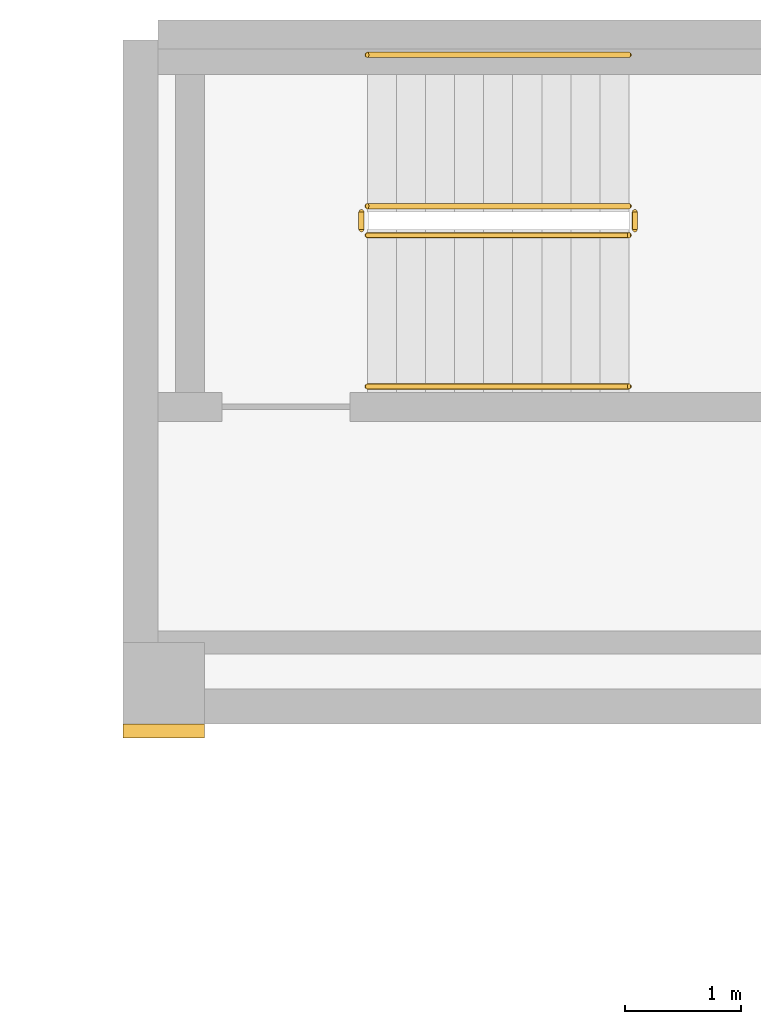
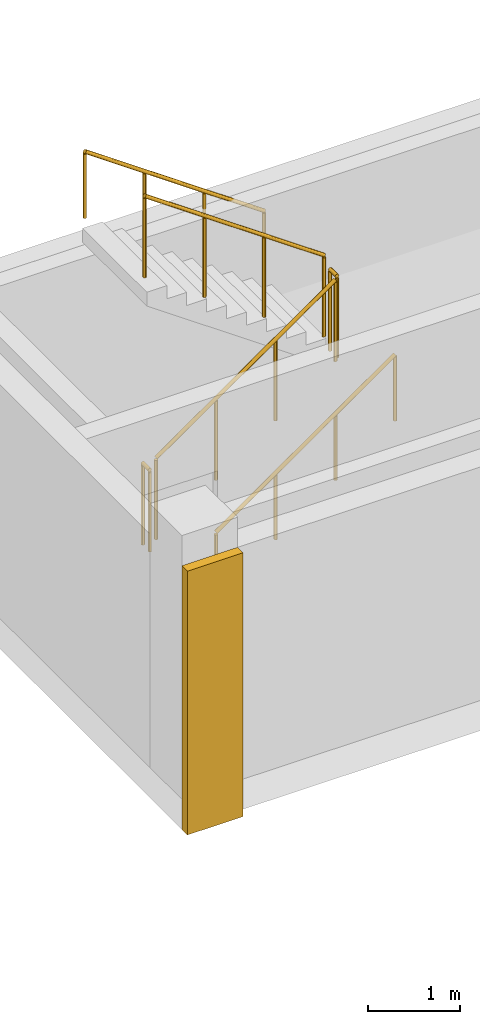
# One storey, part 9 of 9: 6 railings, 1 covering.
"""IFC4 building model written with IfcOpenShell, lengths in metres."""

from ifc_helpers import new_model, si_unit, direction, frame, origin, origin_2d, place, context, subcontext, project, spatial, rectangle, circle, extrude, source, transform, mapped, material, type_object, element, save


model = new_model("IFC4")

# Units and contexts
model_context = context("Model", 3, precision=1e-05, world=origin(), true_north=direction((0.0, 1.0)))
body_context = subcontext(model_context, "Body", "Model", "MODEL_VIEW")
ifc_project = project(units=[si_unit("LENGTHUNIT", "METRE"), si_unit("AREAUNIT", "SQUARE_METRE"), si_unit("VOLUMEUNIT", "CUBIC_METRE"), si_unit("PLANEANGLEUNIT", "RADIAN"), si_unit("MASSUNIT", "GRAM", prefix="KILO")], contexts=[model_context])

# Site, building, storey
site_placement = place(None, origin())
site = spatial("IfcSite", under=ifc_project, at=site_placement, CompositionType="ELEMENT")
building_placement = place(site_placement, origin())
building = spatial("IfcBuilding", under=site, at=building_placement, Name="Aurelian Terraces", CompositionType="ELEMENT")
storey_placement = place(building_placement, frame((0.0, 0.0, 319.5)))
storey = spatial("IfcBuildingStorey", under=building, at=storey_placement, Name="L74", CompositionType="ELEMENT", Elevation=319.5)

# Covering
ifc_material_1 = material(Name="Terracotta rainscreen cladding relief", Category="masonry")
covering_type = type_object("IfcCoveringType", Name="BAGUETTE-TC", PredefinedType="CLADDING", material=ifc_material_1)
shared_shape_1 = source(origin(), body_context, "Body", "SweptSolid", [
    extrude(rectangle(XDim=0.7, YDim=0.12, at=origin_2d()), origin(), (0.0, 0.0, 1.0), 3.5),
])
covering_placement = place(storey_placement, frame((10.85, 37.74, -0.4), z_axis=(0.0, 0.0, 1.0), x_axis=(1.0, 0.0, 0.0)))
element("IfcCovering", 1, at=covering_placement, inside=storey, type_object=covering_type, Name="BAGUETTE pier L74 6", PredefinedType="CLADDING", context=body_context, shape_type="MappedRepresentation", body=[
    mapped(shared_shape_1, transform((0.0, 0.0, 0.0), scale=1.0)),
])

# Railings
ifc_material_2 = material(Name="Stainless steel", Category="steel")
railing_type_1 = type_object("IfcRailingType", Name="Stair guard 1100", PredefinedType="GUARDRAIL", material=ifc_material_2)
shared_shape_2 = source(origin(), body_context, "Body", "SweptSolid", [
    extrude(circle(Radius=0.024, at=origin_2d()), frame((0.0, 0.0, 1.076), z_axis=(0.0, 1.0, 0.0), x_axis=(-1.0, 0.0, 0.0)), (0.0, 0.0, 1.0), 0.15),
    extrude(circle(Radius=0.021, at=origin_2d()), origin(), (0.0, 0.0, 1.0), 1.052),
    extrude(circle(Radius=0.021, at=origin_2d()), frame((0.0, 0.15, 0.0)), (0.0, 0.0, 1.0), 1.052),
])
for number, where, name in (
    (2, (14.9, 42.05, 1.75), "L74 S3U stair guard 2"),
    (3, (12.55, 42.05, 0.0), "L74 S3U stair guard 4"),
):
    element("IfcRailing", number, at=place(storey_placement, frame(where)), inside=storey, type_object=railing_type_1, Name=name, PredefinedType="GUARDRAIL", context=body_context, shape_type="MappedRepresentation", body=[
        mapped(shared_shape_2, transform((0.0, 0.0, 0.0), scale=1.0)),
    ])
shared_shape_3 = source(origin(), body_context, "Body", "SweptSolid", [
    extrude(circle(Radius=0.024, at=origin_2d()), frame((0.0, 0.0, 1.076), z_axis=(0.819231920519, 0.0, 0.573462344363), x_axis=(0.0, 1.0, 0.0)), (0.0, 0.0, 1.0), 2.7465),
    extrude(circle(Radius=0.021, at=origin_2d()), origin(), (0.0, 0.0, 1.0), 1.052),
    extrude(circle(Radius=0.021, at=origin_2d()), frame((0.75, 0.0, 0.525)), (0.0, 0.0, 1.0), 1.052),
    extrude(circle(Radius=0.021, at=origin_2d()), frame((1.5, 0.0, 1.05)), (0.0, 0.0, 1.0), 1.052),
    extrude(circle(Radius=0.021, at=origin_2d()), frame((2.25, 0.0, 1.575)), (0.0, 0.0, 1.0), 1.052),
])
railing_1_placement = place(storey_placement, frame((12.6, 42.0, 0.175)))
element("IfcRailing", 4, at=railing_1_placement, inside=storey, type_object=railing_type_1, Name="L74 S3U stair guard 1", PredefinedType="GUARDRAIL", context=body_context, shape_type="MappedRepresentation", body=[
    mapped(shared_shape_3, transform((0.0, 0.0, 0.0), scale=1.0)),
])
shared_shape_4 = source(origin(), body_context, "Body", "SweptSolid", [
    extrude(circle(Radius=0.024, at=origin_2d()), frame((0.0, 0.0, 1.076), z_axis=(-0.819231920519, 0.0, 0.573462344363), x_axis=(0.0, -1.0, 0.0)), (0.0, 0.0, 1.0), 2.7465),
    extrude(circle(Radius=0.021, at=origin_2d()), origin(), (0.0, 0.0, 1.0), 1.052),
    extrude(circle(Radius=0.021, at=origin_2d()), frame((-0.75, 0.0, 0.525)), (0.0, 0.0, 1.0), 1.052),
    extrude(circle(Radius=0.021, at=origin_2d()), frame((-1.5, 0.0, 1.05)), (0.0, 0.0, 1.0), 1.052),
    extrude(circle(Radius=0.021, at=origin_2d()), frame((-2.25, 0.0, 1.575)), (0.0, 0.0, 1.0), 1.052),
])
railing_2_placement = place(storey_placement, frame((14.85, 42.25, 1.925)))
element("IfcRailing", 5, at=railing_2_placement, inside=storey, type_object=railing_type_1, Name="L74 S3U stair guard 3", PredefinedType="GUARDRAIL", context=body_context, shape_type="MappedRepresentation", body=[
    mapped(shared_shape_4, transform((0.0, 0.0, 0.0), scale=1.0)),
])
railing_type_2 = type_object("IfcRailingType", Name="Stair handrail", PredefinedType="HANDRAIL", material=ifc_material_2)
shared_shape_5 = source(origin(), body_context, "Body", "SweptSolid", [
    extrude(circle(Radius=0.024, at=origin_2d()), frame((0.0, 0.0, 0.876), z_axis=(0.819231920519, 0.0, 0.573462344363), x_axis=(0.0, 1.0, 0.0)), (0.0, 0.0, 1.0), 2.7465),
    extrude(circle(Radius=0.021, at=origin_2d()), origin(), (0.0, 0.0, 1.0), 0.852),
    extrude(circle(Radius=0.021, at=origin_2d()), frame((0.75, 0.0, 0.525)), (0.0, 0.0, 1.0), 0.852),
    extrude(circle(Radius=0.021, at=origin_2d()), frame((1.5, 0.0, 1.05)), (0.0, 0.0, 1.0), 0.852),
    extrude(circle(Radius=0.021, at=origin_2d()), frame((2.25, 0.0, 1.575)), (0.0, 0.0, 1.0), 0.852),
])
railing_3_placement = place(storey_placement, frame((12.6, 40.7, 0.175)))
element("IfcRailing", 6, at=railing_3_placement, inside=storey, type_object=railing_type_2, Name="L74 S3U stair handrail 1", PredefinedType="HANDRAIL", context=body_context, shape_type="MappedRepresentation", body=[
    mapped(shared_shape_5, transform((0.0, 0.0, 0.0), scale=1.0)),
])
shared_shape_6 = source(origin(), body_context, "Body", "SweptSolid", [
    extrude(circle(Radius=0.024, at=origin_2d()), frame((0.0, 0.0, 0.876), z_axis=(-0.819231920519, 0.0, 0.573462344363), x_axis=(0.0, -1.0, 0.0)), (0.0, 0.0, 1.0), 2.7465),
    extrude(circle(Radius=0.021, at=origin_2d()), origin(), (0.0, 0.0, 1.0), 0.852),
    extrude(circle(Radius=0.021, at=origin_2d()), frame((-0.75, 0.0, 0.525)), (0.0, 0.0, 1.0), 0.852),
    extrude(circle(Radius=0.021, at=origin_2d()), frame((-1.5, 0.0, 1.05)), (0.0, 0.0, 1.0), 0.852),
    extrude(circle(Radius=0.021, at=origin_2d()), frame((-2.25, 0.0, 1.575)), (0.0, 0.0, 1.0), 0.852),
])
railing_4_placement = place(storey_placement, frame((14.85, 43.55, 1.925)))
element("IfcRailing", 7, at=railing_4_placement, inside=storey, type_object=railing_type_2, Name="L74 S3U stair handrail 2", PredefinedType="HANDRAIL", context=body_context, shape_type="MappedRepresentation", body=[
    mapped(shared_shape_6, transform((0.0, 0.0, 0.0), scale=1.0)),
])

save(model, "model.ifc")
